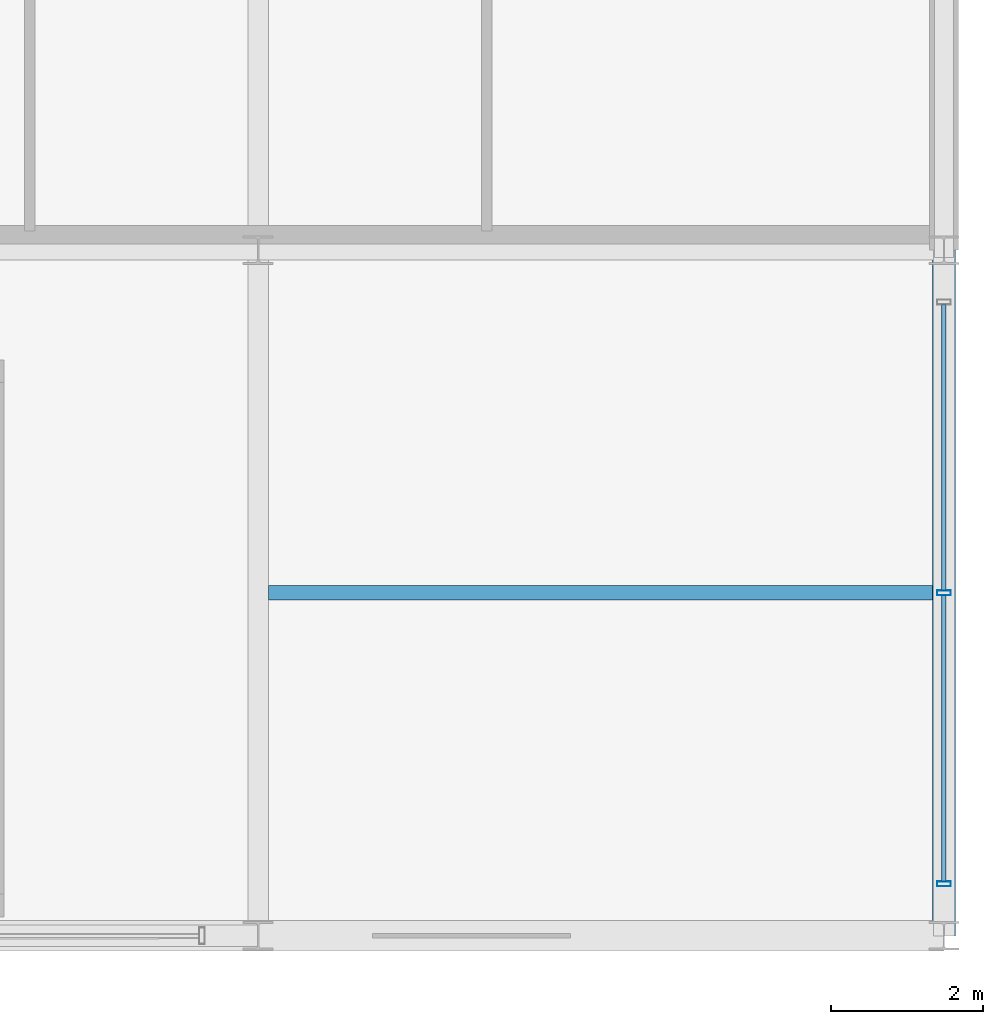
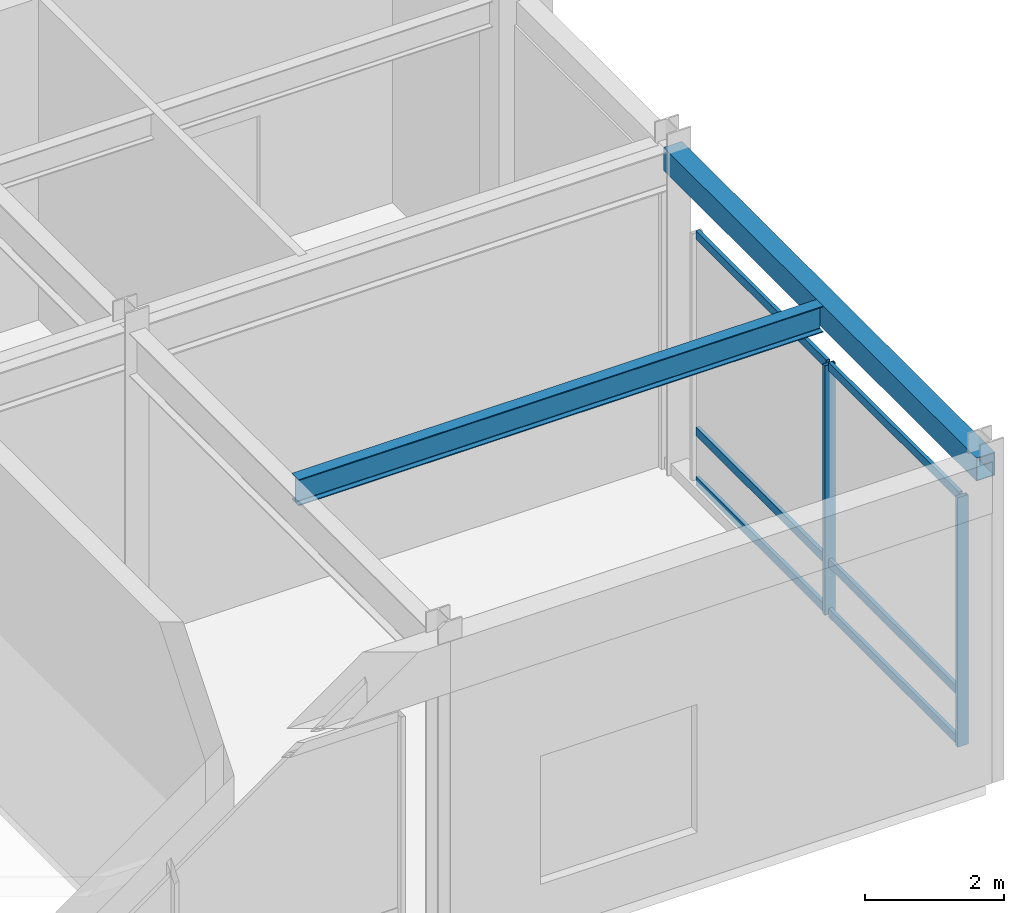
# One storey, part 52 of 108: 8 members, 2 beams, 1 element without a shape of its own.
"""IFC4 building model written with IfcOpenShell, lengths in metres."""

import ifcopenshell
import ifcopenshell.guid

model = None  # the IFC model being written
_history = None  # IfcOwnerHistory: only IFC2X3 demands one
_inside = {}  # id of a spatial element -> (the spatial element, [elements in it])
_under = {}  # id of a project, library or spatial element -> (it, [spatial elements below it])
_declared = {}  # id of a project -> (the project, [libraries it declares])
_typed = {}  # id of a type object -> (the type object, [elements of that type])
_made_of = {}  # id of a material, layer set ... -> (it, [elements and type objects made of it])


def new_model(schema):
    """Start an empty IFC model of exactly this schema.

    Asked for "IFC4X3", IfcOpenShell would pick the latest addendum, in which some entities
    have other attributes; the version numbers below select the first issue.
    IFC2X3 requires an IfcOwnerHistory on every rooted entity: one is made here for all.
    """
    global model, _history
    if schema == "IFC4X3":
        model = ifcopenshell.file(schema_version=(4, 3, 0, 0))
    else:
        model = ifcopenshell.file(schema=schema)
    _inside.clear()
    _under.clear()
    _declared.clear()
    _typed.clear()
    _made_of.clear()
    _history = None
    if model.schema == "IFC2X3":
        org = make("IfcOrganization", Name="unknown")
        user = make(
            "IfcPersonAndOrganization",
            ThePerson=make("IfcPerson", FamilyName="unknown"),
            TheOrganization=org,
        )
        app = make(
            "IfcApplication",
            ApplicationDeveloper=org,
            Version="unknown",
            ApplicationFullName="unknown",
            ApplicationIdentifier="unknown",
        )
        _history = make(
            "IfcOwnerHistory",
            OwningUser=user,
            OwningApplication=app,
            ChangeAction="ADDED",
            CreationDate=0,
        )
    return model


def make(cls, **values):
    """One entity of the class cls with the attributes given. An attribute that is None is left unset."""
    return model.create_entity(
        cls, **{name: value for name, value in values.items() if value is not None}
    )


def rooted(cls, **values):
    """An entity with a GlobalId (a new one), such as an element, a storey or a relation."""
    return make(cls, GlobalId=ifcopenshell.guid.new(), OwnerHistory=_history, **values)


def si_unit(unit_type, name, prefix=None):
    """IfcSIUnit, for example si_unit("LENGTHUNIT", "METRE", prefix="MILLI")."""
    return make("IfcSIUnit", UnitType=unit_type, Prefix=prefix, Name=name)


def assignment(units):
    """IfcUnitAssignment: the units of a project."""
    return None if units is None else make("IfcUnitAssignment", Units=units)


def point(xyz):
    """IfcCartesianPoint."""
    return None if xyz is None else make("IfcCartesianPoint", Coordinates=xyz)


def direction(xyz):
    """IfcDirection."""
    return None if xyz is None else make("IfcDirection", DirectionRatios=xyz)


def frame(location, z_axis=None, x_axis=None):
    """IfcAxis2Placement3D, a coordinate frame: its origin and axes. An axis left out is left unset."""
    return make(
        "IfcAxis2Placement3D",
        Location=point(location),
        Axis=direction(z_axis),
        RefDirection=direction(x_axis),
    )


def frame_2d(location, x_axis=None):
    """IfcAxis2Placement2D, a coordinate frame in the plane: its origin and x axis."""
    return make(
        "IfcAxis2Placement2D", Location=point(location), RefDirection=direction(x_axis)
    )


def origin():
    """The frame at (0, 0, 0) with its axes left unset."""
    return frame((0.0, 0.0, 0.0))


def origin_2d():
    """The frame at (0, 0) in the plane with its x axis left unset."""
    return frame_2d((0.0, 0.0))


def place(relative_to, where):
    """IfcLocalPlacement: puts the frame where relative to a parent placement (None: the world)."""
    return make(
        "IfcLocalPlacement", PlacementRelTo=relative_to, RelativePlacement=where
    )


def context(
    kind, dimensions, precision=None, world=None, true_north=None, identifier=None
):
    """IfcGeometricRepresentationContext, for example the 3D "Model" context."""
    return make(
        "IfcGeometricRepresentationContext",
        ContextIdentifier=identifier,
        ContextType=kind,
        CoordinateSpaceDimension=dimensions,
        Precision=precision,
        WorldCoordinateSystem=world,
        TrueNorth=true_north,
    )


def subcontext(parent, identifier, kind, view, scale=None):
    """IfcGeometricRepresentationSubContext, for example "Body" below "Model"."""
    return make(
        "IfcGeometricRepresentationSubContext",
        ContextIdentifier=identifier,
        ContextType=kind,
        ParentContext=parent,
        TargetScale=scale,
        TargetView=view,
    )


def project(units=None, contexts=None):
    """IfcProject with its units and contexts."""
    return rooted(
        "IfcProject",
        Name="project",
        RepresentationContexts=contexts,
        UnitsInContext=assignment(units),
    )


def spatial(cls, under=None, at=None, **own):
    """A site, building, storey or space (cls), placed at a placement, below another one or the project."""
    s = rooted(cls, ObjectPlacement=at, **own)
    if under is not None:
        _under.setdefault(under.id(), (under, []))[1].append(s)
    return s


def profile(cls, at=None, kind="AREA", **sizes):
    """A parametric profile (cls). Its sizes go by their IFC names, for example OverallWidth=200.0."""
    return make(cls, ProfileType=kind, Position=at, **sizes)


def hollow_rectangle(**sizes):
    """IfcRectangleHollowProfileDef."""
    return profile("IfcRectangleHollowProfileDef", **sizes)


def i_section(**sizes):
    """IfcIShapeProfileDef."""
    return profile("IfcIShapeProfileDef", **sizes)


def extrude(swept, where, along, depth):
    """IfcExtrudedAreaSolid: the profile swept, set in the frame where, extruded along a direction by depth."""
    return make(
        "IfcExtrudedAreaSolid",
        SweptArea=swept,
        Position=where,
        ExtrudedDirection=direction(along),
        Depth=depth,
    )


def shape(context_of_items, identifier, shape_type, items):
    """IfcShapeRepresentation: the items that make up one representation, for example the "Body"."""
    return make(
        "IfcShapeRepresentation",
        ContextOfItems=context_of_items,
        RepresentationIdentifier=identifier,
        RepresentationType=shape_type,
        Items=items,
    )


def material(Name=None, Category=None):
    """IfcMaterial."""
    return make("IfcMaterial", Name=Name, Category=Category)


def material_profile(
    of_material, cross_section, Name=None, Category=None, Priority=None
):
    """IfcMaterialProfile: a cross section and its material."""
    return make(
        "IfcMaterialProfile",
        Name=Name,
        Material=of_material,
        Profile=cross_section,
        Priority=Priority,
        Category=Category,
    )


def profile_set(profiles, Name=None, composite=None):
    """IfcMaterialProfileSet."""
    return make(
        "IfcMaterialProfileSet",
        Name=Name,
        MaterialProfiles=profiles,
        CompositeProfile=composite,
    )


def made_of(thing, what):
    """Note that an element or type object is made of a material, layer set ...; save() writes the relation."""
    if what is not None:
        _made_of.setdefault(what.id(), (what, []))[1].append(thing)
    return thing


def type_object(cls, material=None, **own):
    """A type object (cls), such as IfcWallType, which elements share."""
    return made_of(rooted(cls, **own), material)


def element(
    cls,
    number,
    at=None,
    inside=None,
    cuts=None,
    type_object=None,
    material=None,
    context=None,
    identifier="Body",
    shape_type=None,
    held_by="IfcProductDefinitionShape",
    body=None,
    shapes=None,
    **own,
):
    """One element of the class cls, such as IfcWall. Its Tag is "e" and its number.

    at: its placement. inside: the storey or other place that contains it. cuts: it is an
    opening in that element (IfcRelVoidsElement). A single representation is given by context,
    identifier, shape_type and body (its items); several are given by shapes. held_by: the class
    of the entity that holds the representations. save() writes the other relations.
    """
    e = rooted(cls, Tag="e%d" % number, ObjectPlacement=at, **own)
    if body is not None:
        shapes = [shape(context, identifier, shape_type, body)]
    if shapes is not None:
        e.Representation = make(held_by, Representations=shapes)
    if inside is not None:
        _inside.setdefault(inside.id(), (inside, []))[1].append(e)
    if cuts is not None:
        rooted(
            "IfcRelVoidsElement", RelatingBuildingElement=cuts, RelatedOpeningElement=e
        )
    if type_object is not None:
        _typed.setdefault(type_object.id(), (type_object, []))[1].append(e)
    return made_of(e, material)


def aggregate(whole, parts):
    """IfcRelAggregates: a whole, such as a stair, and the parts it consists of."""
    return rooted("IfcRelAggregates", RelatingObject=whole, RelatedObjects=parts)


def save(model, path):
    """Write the relations noted so far, then the file.

    IfcRelAggregates (storeys below a building ...), IfcRelContainedInSpatialStructure (elements
    in a storey), IfcRelDefinesByType, IfcRelAssociatesMaterial and IfcRelDeclares: one each for
    every whole, place, type object, material and project.
    """
    for whole, parts in _under.values():
        aggregate(whole, parts)
    for where, things in _inside.values():
        rooted(
            "IfcRelContainedInSpatialStructure",
            RelatedElements=things,
            RelatingStructure=where,
        )
    for kind, things in _typed.values():
        rooted("IfcRelDefinesByType", RelatedObjects=things, RelatingType=kind)
    for what, things in _made_of.values():
        rooted("IfcRelAssociatesMaterial", RelatedObjects=things, RelatingMaterial=what)
    for by, libraries in _declared.values():
        rooted("IfcRelDeclares", RelatingContext=by, RelatedDefinitions=libraries)
    model.write(path)


model = new_model("IFC4")

# Units and contexts
model_context = context("Model", 3, precision=1e-05, world=origin(), true_north=direction((0.0, 1.0)))
body_context = subcontext(model_context, "Body", "Model", "MODEL_VIEW")
ifc_project = project(units=[si_unit("LENGTHUNIT", "METRE"), si_unit("AREAUNIT", "SQUARE_METRE"), si_unit("VOLUMEUNIT", "CUBIC_METRE"), si_unit("PLANEANGLEUNIT", "RADIAN"), si_unit("MASSUNIT", "GRAM", prefix="KILO")], contexts=[model_context])

# Site, building, storey
site_placement = place(None, origin())
site = spatial("IfcSite", under=ifc_project, at=site_placement, CompositionType="ELEMENT")
building_placement = place(site_placement, origin())
building = spatial("IfcBuilding", under=site, at=building_placement, Name="Kaldorvane Square Convention Centre", CompositionType="ELEMENT")
storey_placement = place(building_placement, frame((0.0, 0.0, 12.0)))
storey = spatial("IfcBuildingStorey", under=building, at=storey_placement, Name="L02", CompositionType="ELEMENT", Elevation=12.0)

# Beams
ifc_material_1 = material(Name="Steel ASTM A992 Gr. 50", Category="steel")
ifc_material_profile_1 = material_profile(ifc_material_1, i_section(OverallWidth=0.1912994384765625, OverallDepth=0.4600067138671875, WebThickness=0.0099029541015625, FlangeThickness=0.0160064697265625, FilletRadius=0.01019287109375, at=origin_2d()), Name="W18X55")
ifc_profile_set_1 = profile_set([ifc_material_profile_1], Name="Steel ASTM A992 Gr. 50")
beam_type_1 = type_object("IfcBeamType", Name="BM-JS-W18X55", PredefinedType="JOIST", material=ifc_profile_set_1)
beam_1_placement = place(storey_placement, frame((165.13330078125, 4.5, 5.4160003662109375), z_axis=(1.0, 0.0, 0.0), x_axis=(0.0, 1.0, 0.0)))
element("IfcBeam", 1, at=beam_1_placement, inside=storey, type_object=beam_type_1, Name="Secondary Floor Joist (L02)", PredefinedType="JOIST", context=body_context, shape_type="SweptSolid", body=[
    extrude(i_section(OverallWidth=0.1912994384765625, OverallDepth=0.4600067138671875, WebThickness=0.0099029541015625, FlangeThickness=0.0160064697265625, FilletRadius=0.01019287109375, at=origin_2d()), origin(), (0.0, 0.0, 1.0), 8.71429443359375),
])
ifc_material_2 = material(Name="Steel ASTM A500 Gr. C", Category="steel")
ifc_material_profile_2 = material_profile(ifc_material_2, hollow_rectangle(XDim=0.3047943115234375, YDim=0.406402587890625, WallThickness=0.0117950439453125, at=origin_2d()), Name="HSS16X12X1/2")
ifc_profile_set_2 = profile_set([ifc_material_profile_2], Name="Steel ASTM A500 Gr. C")
beam_type_2 = type_object("IfcBeamType", Name="BM-SP-HSS16", PredefinedType="SPANDREL", material=ifc_profile_set_2)
beam_2_placement = place(storey_placement, frame((174.0, 0.0, 5.4427947998046875), z_axis=(0.0, 1.0, 0.0), x_axis=(-1.0, 0.0, 0.0)))
element("IfcBeam", 2, at=beam_2_placement, inside=storey, type_object=beam_type_2, Name="End Spandrel (L02)", PredefinedType="SPANDREL", context=body_context, shape_type="SweptSolid", body=[
    extrude(hollow_rectangle(XDim=0.3047943115234375, YDim=0.406402587890625, WallThickness=0.0117950439453125, at=origin_2d()), origin(), (0.0, 0.0, 1.0), 9.0),
])

# Curtain wall, members
ifc_material_3 = material(Name="Anodized Aluminum and Low-E Insulated Glazing", Category="aluminium")
curtain_wall_type = type_object("IfcCurtainWallType", Name="CW-UNI-P60-09", PredefinedType="USERDEFINED", material=ifc_material_3)
curtain_wall_placement = place(storey_placement, origin())
curtain_wall = element("IfcCurtainWall", 3, at=curtain_wall_placement, inside=storey, type_object=curtain_wall_type, Name="Curtain Wall CW-02 (L02)", ObjectType="UNITISED GLAZING", PredefinedType="USERDEFINED")
ifc_material_profile_3 = material_profile(ifc_material_3, hollow_rectangle(XDim=0.06500244140625, YDim=0.17999267578125, WallThickness=0.0034942626953125, at=origin_2d()), Name="CWM-180X65")
ifc_profile_set_3 = profile_set([ifc_material_profile_3], Name="Anodized Aluminum and Low-E Insulated Glazing")
member_type_1 = type_object("IfcMemberType", Name="CW-MUL-180", PredefinedType="MULLION", material=ifc_profile_set_3)
member_1_placement = place(storey_placement, frame((174.0, 0.6824951171875, 0.149993896484375), z_axis=(0.0, 0.0, 1.0), x_axis=(0.0, 1.0, 0.0)))
member_1 = element("IfcMember", 4, at=member_1_placement, type_object=member_type_1, Name="CW-02 mullion 1", PredefinedType="MULLION", context=body_context, shape_type="SweptSolid", body=[
    extrude(hollow_rectangle(XDim=0.06500244140625, YDim=0.17999267578125, WallThickness=0.0034942626953125, at=origin_2d()), origin(), (0.0, 0.0, 1.0), 4.3800048828125),
])
member_2_placement = place(storey_placement, frame((174.0, 4.5, 0.149993896484375), z_axis=(0.0, 0.0, 1.0), x_axis=(0.0, 1.0, 0.0)))
member_2 = element("IfcMember", 5, at=member_2_placement, type_object=member_type_1, Name="CW-02 mullion 2", PredefinedType="MULLION", context=body_context, shape_type="SweptSolid", body=[
    extrude(hollow_rectangle(XDim=0.06500244140625, YDim=0.17999267578125, WallThickness=0.0034942626953125, at=origin_2d()), origin(), (0.0, 0.0, 1.0), 4.3800048828125),
])
ifc_material_profile_4 = material_profile(ifc_material_3, hollow_rectangle(XDim=0.05999755859375, YDim=0.149993896484375, WallThickness=0.003204345703125, at=origin_2d()), Name="CWT-150X60")
ifc_profile_set_4 = profile_set([ifc_material_profile_4], Name="Anodized Aluminum and Low-E Insulated Glazing")
member_type_2 = type_object("IfcMemberType", Name="CW-TRN-150", PredefinedType="USERDEFINED", material=ifc_profile_set_4)
member_3_placement = place(storey_placement, frame((174.0, 0.714996337890625, 0.17999267578125), z_axis=(0.0, 1.0, 0.0), x_axis=(-1.0, 0.0, 0.0)))
member_3 = element("IfcMember", 6, at=member_3_placement, type_object=member_type_2, Name="CW-02 transom 1.1", ObjectType="TRANSOM", PredefinedType="USERDEFINED", context=body_context, shape_type="SweptSolid", body=[
    extrude(hollow_rectangle(XDim=0.05999755859375, YDim=0.149993896484375, WallThickness=0.003204345703125, at=origin_2d()), origin(), (0.0, 0.0, 1.0), 3.75250244140625),
])
member_4_placement = place(storey_placement, frame((174.0, 0.714996337890625, 1.0500030517578125), z_axis=(0.0, 1.0, 0.0), x_axis=(-1.0, 0.0, 0.0)))
member_4 = element("IfcMember", 7, at=member_4_placement, type_object=member_type_2, Name="CW-02 transom 1.2", ObjectType="TRANSOM", PredefinedType="USERDEFINED", context=body_context, shape_type="SweptSolid", body=[
    extrude(hollow_rectangle(XDim=0.05999755859375, YDim=0.149993896484375, WallThickness=0.003204345703125, at=origin_2d()), origin(), (0.0, 0.0, 1.0), 3.75250244140625),
])
member_5_placement = place(storey_placement, frame((174.0, 0.714996337890625, 4.5), z_axis=(0.0, 1.0, 0.0), x_axis=(-1.0, 0.0, 0.0)))
member_5 = element("IfcMember", 8, at=member_5_placement, type_object=member_type_2, Name="CW-02 transom 1.3", ObjectType="TRANSOM", PredefinedType="USERDEFINED", context=body_context, shape_type="SweptSolid", body=[
    extrude(hollow_rectangle(XDim=0.05999755859375, YDim=0.149993896484375, WallThickness=0.003204345703125, at=origin_2d()), origin(), (0.0, 0.0, 1.0), 3.75250244140625),
])
member_6_placement = place(storey_placement, frame((174.0, 4.532501220703125, 0.17999267578125), z_axis=(0.0, 1.0, 0.0), x_axis=(-1.0, 0.0, 0.0)))
member_6 = element("IfcMember", 9, at=member_6_placement, type_object=member_type_2, Name="CW-02 transom 2.1", ObjectType="TRANSOM", PredefinedType="USERDEFINED", context=body_context, shape_type="SweptSolid", body=[
    extrude(hollow_rectangle(XDim=0.05999755859375, YDim=0.149993896484375, WallThickness=0.003204345703125, at=origin_2d()), origin(), (0.0, 0.0, 1.0), 3.75250244140625),
])
member_7_placement = place(storey_placement, frame((174.0, 4.532501220703125, 1.0500030517578125), z_axis=(0.0, 1.0, 0.0), x_axis=(-1.0, 0.0, 0.0)))
member_7 = element("IfcMember", 10, at=member_7_placement, type_object=member_type_2, Name="CW-02 transom 2.2", ObjectType="TRANSOM", PredefinedType="USERDEFINED", context=body_context, shape_type="SweptSolid", body=[
    extrude(hollow_rectangle(XDim=0.05999755859375, YDim=0.149993896484375, WallThickness=0.003204345703125, at=origin_2d()), origin(), (0.0, 0.0, 1.0), 3.75250244140625),
])
member_8_placement = place(storey_placement, frame((174.0, 4.532501220703125, 4.5), z_axis=(0.0, 1.0, 0.0), x_axis=(-1.0, 0.0, 0.0)))
member_8 = element("IfcMember", 11, at=member_8_placement, type_object=member_type_2, Name="CW-02 transom 2.3", ObjectType="TRANSOM", PredefinedType="USERDEFINED", context=body_context, shape_type="SweptSolid", body=[
    extrude(hollow_rectangle(XDim=0.05999755859375, YDim=0.149993896484375, WallThickness=0.003204345703125, at=origin_2d()), origin(), (0.0, 0.0, 1.0), 3.75250244140625),
])
aggregate(curtain_wall, [member_1, member_2, member_3, member_4, member_5, member_6, member_7, member_8])

save(model, "model.ifc")
